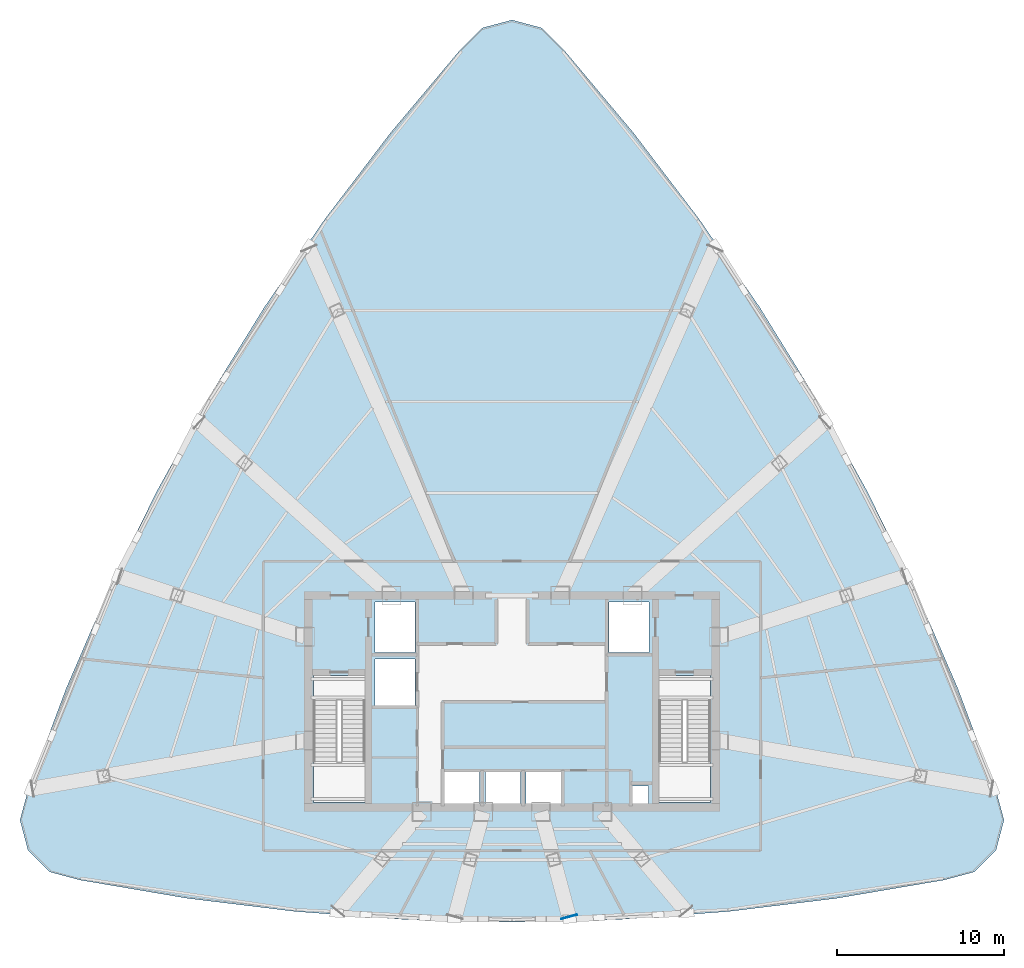
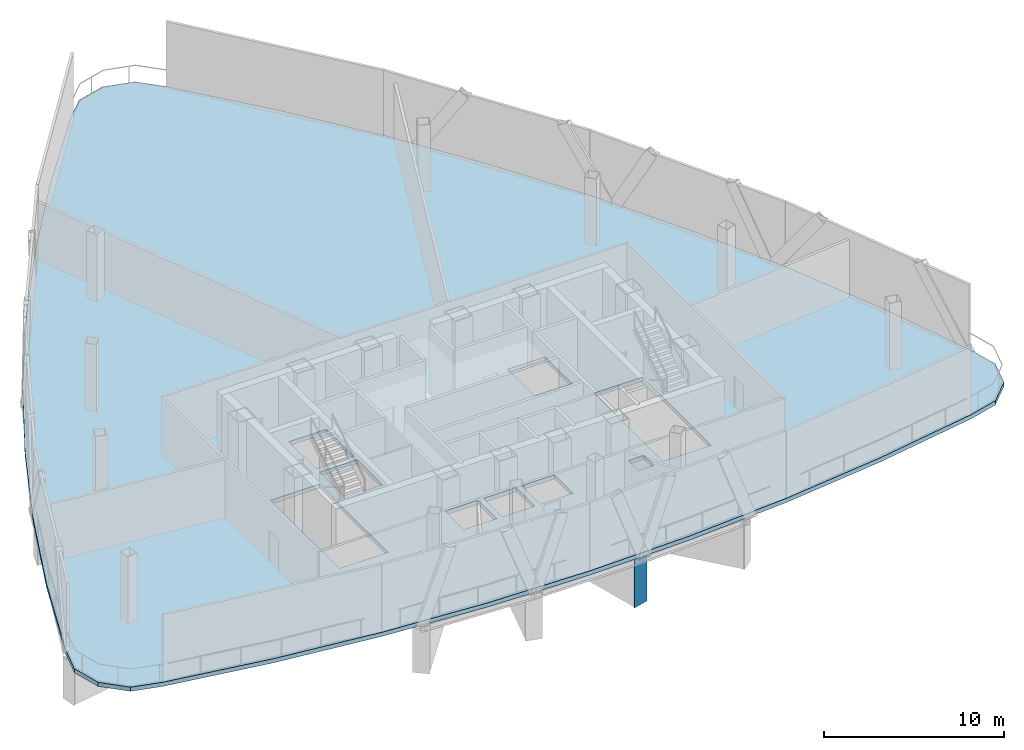
# One storey, part 4 of 12: 1 plate, 1 slab.
"""IFC4 building model written with IfcOpenShell, lengths in metres."""

from ifc_helpers import new_model, si_unit, direction, frame, origin, origin_2d, place, context, subcontext, project, spatial, polyline, rectangle, outline, extrude, source, transform, mapped, material, layer, layer_set, type_object, element, save


model = new_model("IFC4")

# Units and contexts
model_context = context("Model", 3, precision=1e-05, world=origin(), true_north=direction((0.0, 1.0)))
body_context = subcontext(model_context, "Body", "Model", "MODEL_VIEW")
ifc_project = project(units=[si_unit("LENGTHUNIT", "METRE"), si_unit("AREAUNIT", "SQUARE_METRE"), si_unit("VOLUMEUNIT", "CUBIC_METRE"), si_unit("PLANEANGLEUNIT", "RADIAN"), si_unit("MASSUNIT", "GRAM", prefix="KILO"), si_unit("THERMODYNAMICTEMPERATUREUNIT", "KELVIN"), si_unit("POWERUNIT", "WATT")], contexts=[model_context])

# Site, building, storey
site_placement = place(None, origin())
site = spatial("IfcSite", under=ifc_project, at=site_placement, CompositionType="ELEMENT")
building_placement = place(site_placement, origin())
building = spatial("IfcBuilding", under=site, at=building_placement, Name="Yunzhuo Pagoda Commons", CompositionType="ELEMENT")
storey_placement = place(building_placement, frame((0.0, 0.0, 320.7099609375)))
storey = spatial("IfcBuildingStorey", under=building, at=storey_placement, Name="L80", CompositionType="ELEMENT", Elevation=320.7099609375)

# Slab
ifc_material_1 = material(Name="Concrete C40", Category="concrete")
ifc_layer_1 = layer(ifc_material_1, 0.280029296875)
ifc_layer_set_1 = layer_set([ifc_layer_1], Name="Concrete C40")
slab_type = type_object("IfcSlabType", Name="SL-POD Podium & Refuge Floor Slab 280", PredefinedType="FLOOR", material=ifc_layer_set_1)
slab_placement = place(storey_placement, frame((0.0, 0.0, -0.280029296875)))
element("IfcSlab", 1, at=slab_placement, inside=storey, type_object=slab_type, Name="L80 structural floor slab", PredefinedType="FLOOR", context=body_context, shape_type="SweptSolid", body=[
    extrude(outline(polyline([(21.291748046875, 34.646240234375), (23.84912109375, 40.589599609375), (26.67822265625, 46.373779296875), (29.77978515625, 51.99951171875), (33.1533203125, 57.46630859375), (36.798828125, 62.774169921875), (40.716552734375, 67.923095703125), (44.906494140625, 72.913330078125), (46.21630859375, 74.2138671875), (48.0, 74.689453125), (49.78369140625, 74.2138671875), (51.093505859375, 72.913330078125), (55.283447265625, 67.923095703125), (59.201171875, 62.774169921875), (62.8466796875, 57.46630859375), (66.22021484375, 51.99951171875), (69.32177734375, 46.373779296875), (72.15087890625, 40.589599609375), (74.708251953125, 34.646240234375), (76.993408203125, 28.544189453125), (77.481689453125, 26.751220703125), (77.006103515625, 24.954833984375), (75.694580078125, 23.638427734375), (73.89990234375, 23.156494140625), (67.4248046875, 22.0537109375), (60.949951171875, 21.265869140625), (54.474853515625, 20.793212890625), (48.0, 20.6357421875), (41.525146484375, 20.793212890625), (35.050048828125, 21.265869140625), (28.5751953125, 22.0537109375), (22.10009765625, 23.156494140625), (20.305419921875, 23.638427734375), (18.993896484375, 24.954833984375), (18.518310546875, 26.751220703125), (19.006591796875, 28.544189453125), (21.291748046875, 34.646240234375)]), holes=[polyline([(56.179931640625, 28.800048828125), (55.179931640625, 28.800048828125), (55.179931640625, 27.699951171875), (56.179931640625, 27.699951171875), (56.179931640625, 28.800048828125)]), polyline([(46.050048828125, 29.64990234375), (43.949951171875, 29.64990234375), (43.949951171875, 27.60009765625), (46.050048828125, 27.60009765625), (46.050048828125, 29.64990234375)]), polyline([(48.5, 29.64990234375), (46.39990234375, 29.64990234375), (46.39990234375, 27.60009765625), (48.5, 27.60009765625), (48.5, 29.64990234375)]), polyline([(50.949951171875, 29.64990234375), (48.85009765625, 29.64990234375), (48.85009765625, 27.60009765625), (50.949951171875, 27.60009765625), (50.949951171875, 29.64990234375)]), polyline([(39.199951171875, 27.800048828125), (39.199951171875, 35.39990234375), (36.10009765625, 35.39990234375), (36.10009765625, 27.800048828125), (39.199951171875, 27.800048828125)]), polyline([(59.89990234375, 27.800048828125), (59.89990234375, 35.39990234375), (56.800048828125, 35.39990234375), (56.800048828125, 27.800048828125), (59.89990234375, 27.800048828125)]), polyline([(42.199951171875, 36.39990234375), (39.800048828125, 36.39990234375), (39.800048828125, 33.60009765625), (42.199951171875, 33.60009765625), (42.199951171875, 36.39990234375)]), polyline([(42.199951171875, 36.800048828125), (42.199951171875, 39.800048828125), (39.800048828125, 39.800048828125), (39.800048828125, 36.800048828125), (42.199951171875, 36.800048828125)]), polyline([(56.199951171875, 36.800048828125), (56.199951171875, 39.800048828125), (53.800048828125, 39.800048828125), (53.800048828125, 36.800048828125), (56.199951171875, 36.800048828125)])]), origin(), (0.0, 0.0, 1.0), 0.280029296875),
])

# Plate
ifc_material_2 = material(Name="Structural steel Q420B", Category="steel")
ifc_layer_2 = layer(ifc_material_2, 0.0400390625)
ifc_layer_set_2 = layer_set([ifc_layer_2], Name="Structural steel Q420B")
plate_type = type_object("IfcPlateType", Name="EP-TR2 Transfer Girder End Cap Plate 980x3540x40", PredefinedType="USERDEFINED", material=ifc_layer_set_2)
shared_shape = source(origin(), body_context, "Body", "SweptSolid", [
    extrude(rectangle(XDim=0.97998046875, YDim=0.0400390625, at=origin_2d()), origin(), (0.0, 0.0, 1.0), 3.389892578125),
])
plate_placement = place(storey_placement, frame((51.41650390625, 20.94921875, -3.64990234375), z_axis=(0.0, 0.0, 1.0), x_axis=(0.965925826289, 0.258819045103, 0.0)))
element("IfcPlate", 2, at=plate_placement, inside=storey, type_object=plate_type, Name="L80 transfer girder end cap plate F1C3", ObjectType="END_PLATE", PredefinedType="USERDEFINED", context=body_context, shape_type="MappedRepresentation", body=[
    mapped(shared_shape, transform((0.0, 0.0, 0.0), scale=1.0)),
])

save(model, "model.ifc")
